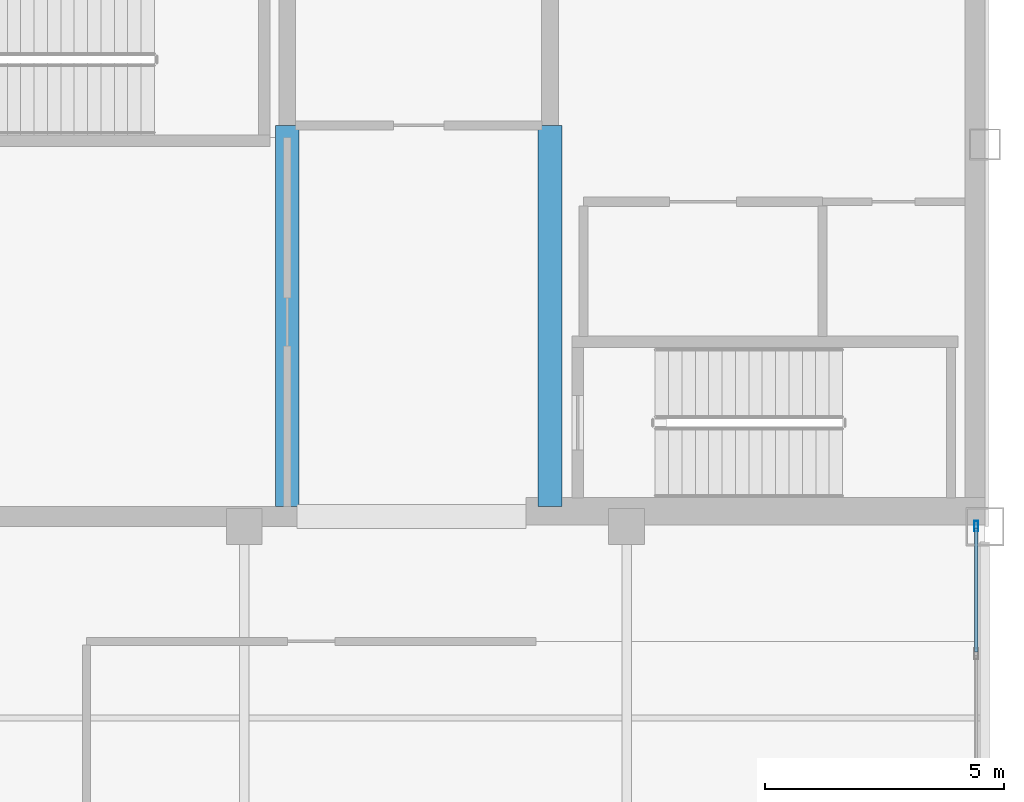
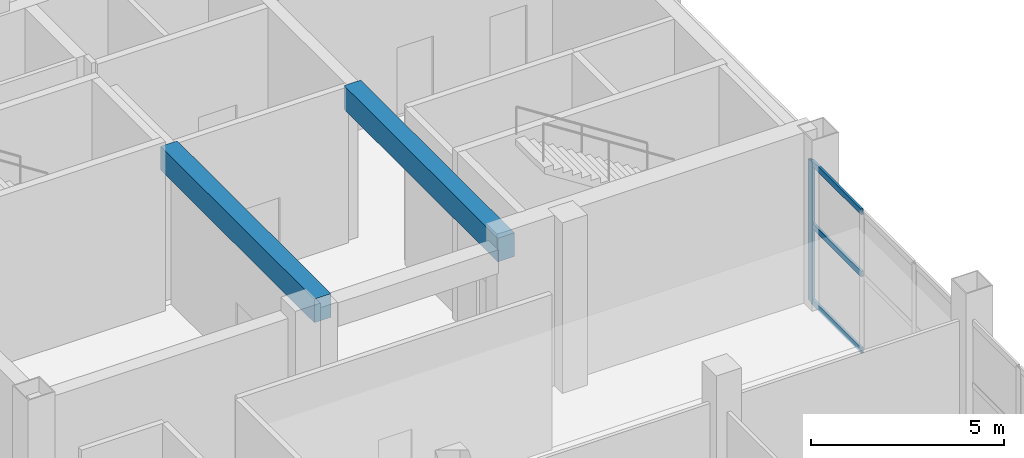
# One storey, part 10 of 16: 4 members, 2 beams, 1 element without a shape of its own.
"""IFC4 building model written with IfcOpenShell, lengths in metres."""

from ifc_helpers import new_model, si_unit, direction, frame, origin, origin_2d, place, context, subcontext, project, spatial, rectangle, hollow_rectangle, extrude, material, layer, layer_set, material_profile, profile_set, type_object, element, aggregate, save


model = new_model("IFC4")

# Units and contexts
model_context = context("Model", 3, precision=1e-05, world=origin(), true_north=direction((0.0, 1.0)))
body_context = subcontext(model_context, "Body", "Model", "MODEL_VIEW")
ifc_project = project(units=[si_unit("LENGTHUNIT", "METRE"), si_unit("AREAUNIT", "SQUARE_METRE"), si_unit("VOLUMEUNIT", "CUBIC_METRE"), si_unit("PLANEANGLEUNIT", "RADIAN"), si_unit("MASSUNIT", "GRAM", prefix="KILO")], contexts=[model_context])

# Site, building, storey
site_placement = place(None, origin())
site = spatial("IfcSite", under=ifc_project, at=site_placement, CompositionType="ELEMENT")
building_placement = place(site_placement, origin())
building = spatial("IfcBuilding", under=site, at=building_placement, Name="Qianrong Seaharbour Tower", CompositionType="ELEMENT")
storey_placement = place(building_placement, frame((0.0, 0.0, 378.39990234375)))
storey = spatial("IfcBuildingStorey", under=building, at=storey_placement, Name="L91", CompositionType="ELEMENT", Elevation=378.39990234375)

# Beams
ifc_material_1 = material(Name="Concrete C60/75", Category="concrete")
ifc_material_profile_1 = material_profile(ifc_material_1, rectangle(XDim=0.5, YDim=0.75, at=origin_2d()), Name="RC500x750")
ifc_profile_set_1 = profile_set([ifc_material_profile_1], Name="Concrete C60/75")
beam_type = type_object("IfcBeamType", Name="BM-LINTEL-750", PredefinedType="LINTEL", material=ifc_profile_set_1)
for number, where, z_axis, x_axis, name in (
    (1, (49.39990234375, 36.419921875, 4.5751953125), (0.0, 1.0, 0.0), (-1.0, 0.0, 0.0), "L91 Internal Core Coupling Beam IW1"),
    (2, (54.89990234375, 36.419921875, 4.5751953125), (0.0, 1.0, 0.0), (-1.0, 0.0, 0.0), "L91 Internal Core Coupling Beam IW2"),
):
    element("IfcBeam", number, at=place(storey_placement, frame(where, z_axis=z_axis, x_axis=x_axis)), inside=storey, type_object=beam_type, Name=name, PredefinedType="LINTEL", context=body_context, shape_type="SweptSolid", body=[
        extrude(rectangle(XDim=0.5, YDim=0.75, at=origin_2d()), origin(), (0.0, 0.0, 1.0), 7.97998046875),
    ])

# Curtain wall, members
ifc_material_2 = material(Name="Anodised aluminium 6063-T6 and laminated low-e glass", Category="aluminium")
ifc_layer = layer(ifc_material_2, 0.239990234375)
ifc_layer_set = layer_set([ifc_layer], Name="Anodised aluminium 6063-T6 and laminated low-e glass")
curtain_wall_type = type_object("IfcCurtainWallType", Name="CW-SYS-6", PredefinedType="NOTDEFINED", material=ifc_layer_set)
curtain_wall_placement = place(storey_placement, origin())
curtain_wall = element("IfcCurtainWall", 3, at=curtain_wall_placement, inside=storey, type_object=curtain_wall_type, Name="L91 TMD Exhibition Lantern Translucent Curtain Wall EAST_WING", PredefinedType="NOTDEFINED")
ifc_material_3 = material(Name="Extruded aluminium 6063-T6", Category="aluminium")
ifc_material_profile_2 = material_profile(ifc_material_3, hollow_rectangle(XDim=0.080078125, YDim=0.219970703125, WallThickness=0.0048828125, at=origin_2d()), Name="ALU-MUL-220x80x5")
ifc_profile_set_2 = profile_set([ifc_material_profile_2], Name="Extruded aluminium 6063-T6")
member_type_1 = type_object("IfcMemberType", Name="CW-MUL-220", PredefinedType="MULLION", material=ifc_profile_set_2)
member_1_placement = place(storey_placement, frame((63.820068359375, 36.010009765625, 0.0), z_axis=(0.0, 0.0, 1.0), x_axis=(1.0, 0.0, 0.0)))
member_1 = element("IfcMember", 4, at=member_1_placement, type_object=member_type_1, Name="CW-6 mullion 1", PredefinedType="MULLION", context=body_context, shape_type="SweptSolid", body=[
    extrude(hollow_rectangle(XDim=0.080078125, YDim=0.219970703125, WallThickness=0.0048828125, at=origin_2d()), origin(), (0.0, 0.0, 1.0), 4.460205078125),
])
ifc_material_profile_3 = material_profile(ifc_material_3, hollow_rectangle(XDim=0.070068359375, YDim=0.179931640625, WallThickness=0.00390625, at=origin_2d()), Name="ALU-TRN-180x70x4")
ifc_profile_set_3 = profile_set([ifc_material_profile_3], Name="Extruded aluminium 6063-T6")
member_type_2 = type_object("IfcMemberType", Name="CW-TRN-180", PredefinedType="USERDEFINED", material=ifc_profile_set_3)
member_2_placement = place(storey_placement, frame((63.820068359375, 35.969970703125, 0.03515625), z_axis=(0.0, -1.0, 0.0), x_axis=(1.0, 0.0, 0.0)))
member_2 = element("IfcMember", 5, at=member_2_placement, type_object=member_type_2, Name="CW-6 transom 1.1", ObjectType="TRANSOM", PredefinedType="USERDEFINED", context=body_context, shape_type="SweptSolid", body=[
    extrude(hollow_rectangle(XDim=0.070068359375, YDim=0.179931640625, WallThickness=0.00390625, at=origin_2d()), origin(), (0.0, 0.0, 1.0), 2.590087890625),
])
member_3_placement = place(storey_placement, frame((63.820068359375, 35.969970703125, 2.453125), z_axis=(0.0, -1.0, 0.0), x_axis=(1.0, 0.0, 0.0)))
member_3 = element("IfcMember", 6, at=member_3_placement, type_object=member_type_2, Name="CW-6 transom 1.2", ObjectType="TRANSOM", PredefinedType="USERDEFINED", context=body_context, shape_type="SweptSolid", body=[
    extrude(hollow_rectangle(XDim=0.070068359375, YDim=0.179931640625, WallThickness=0.00390625, at=origin_2d()), origin(), (0.0, 0.0, 1.0), 2.590087890625),
])
member_4_placement = place(storey_placement, frame((63.820068359375, 35.969970703125, 4.425048828125), z_axis=(0.0, -1.0, 0.0), x_axis=(1.0, 0.0, 0.0)))
member_4 = element("IfcMember", 7, at=member_4_placement, type_object=member_type_2, Name="CW-6 transom 1.3", ObjectType="TRANSOM", PredefinedType="USERDEFINED", context=body_context, shape_type="SweptSolid", body=[
    extrude(hollow_rectangle(XDim=0.070068359375, YDim=0.179931640625, WallThickness=0.00390625, at=origin_2d()), origin(), (0.0, 0.0, 1.0), 2.590087890625),
])
aggregate(curtain_wall, [member_1, member_2, member_3, member_4])

save(model, "model.ifc")
